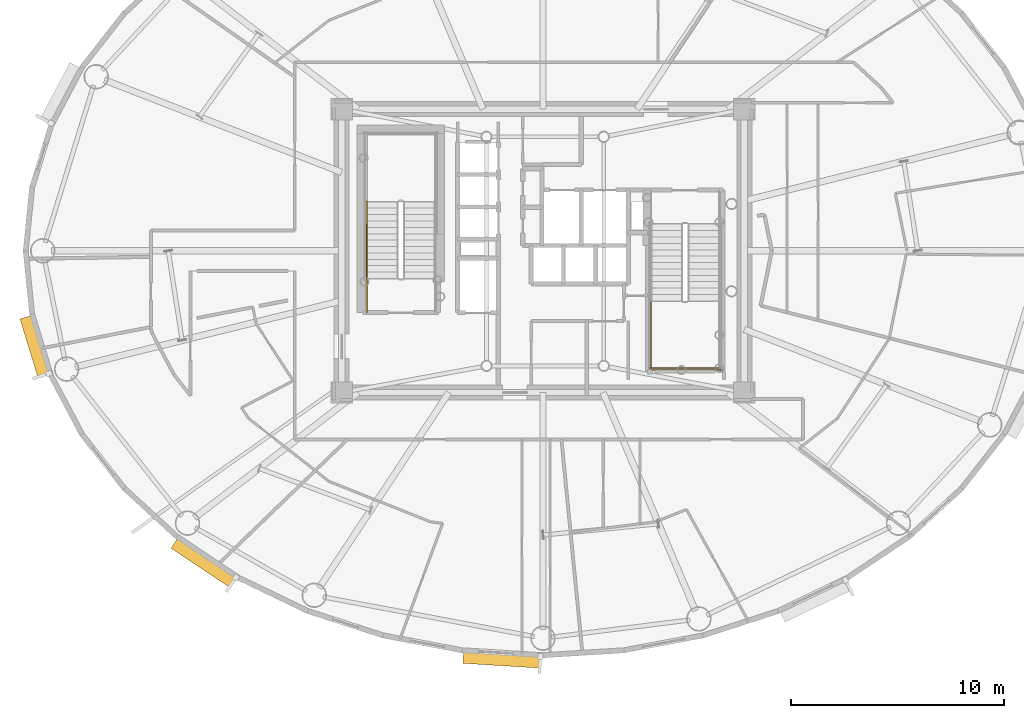
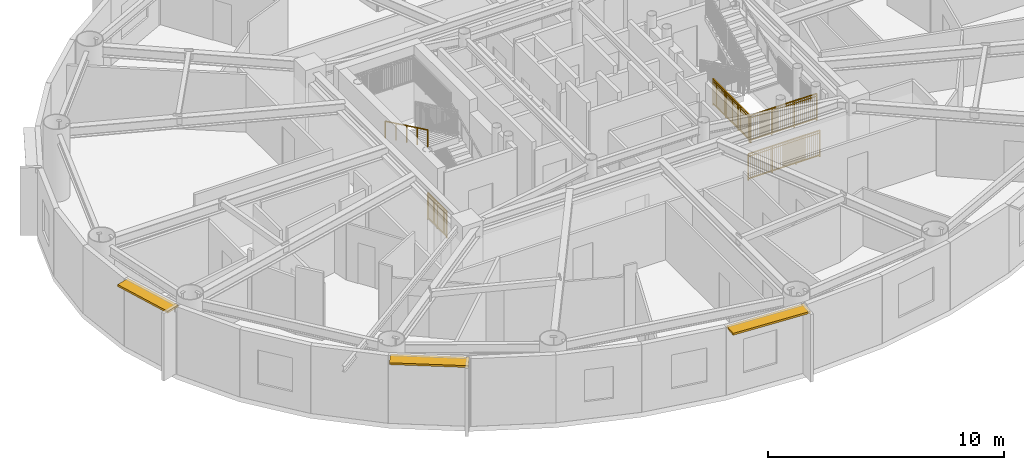
# One storey, part 15 of 21: 5 railings, 3 shading devices.
"""IFC4 building model written with IfcOpenShell, lengths in metres."""

from ifc_helpers import new_model, si_unit, direction, frame, origin, origin_2d, place, context, subcontext, project, spatial, rectangle, extrude, source, transform, mapped, material, layer, layer_set, type_object, element, save


model = new_model("IFC4")

# Units and contexts
model_context = context("Model", 3, precision=1e-05, world=origin(), true_north=direction((0.0, 1.0)))
body_context = subcontext(model_context, "Body", "Model", "MODEL_VIEW")
ifc_project = project(units=[si_unit("LENGTHUNIT", "METRE"), si_unit("AREAUNIT", "SQUARE_METRE"), si_unit("VOLUMEUNIT", "CUBIC_METRE"), si_unit("PLANEANGLEUNIT", "RADIAN"), si_unit("MASSUNIT", "GRAM", prefix="KILO")], contexts=[model_context])

# Site, building, storey
site_placement = place(None, origin())
site = spatial("IfcSite", under=ifc_project, at=site_placement, CompositionType="ELEMENT")
building_placement = place(site_placement, origin())
building = spatial("IfcBuilding", under=site, at=building_placement, Name="Linh Dai School and Residence Tower", CompositionType="ELEMENT")
storey_placement = place(building_placement, frame((0.0, 0.0, 251.550048828125)))
storey = spatial("IfcBuildingStorey", under=building, at=storey_placement, Name="L62", CompositionType="ELEMENT", Elevation=251.550048828125)

# Shading devices
ifc_material_1 = material(Name="Terracotta Ceramic Sunshade", Category="masonry")
ifc_layer = layer(ifc_material_1, 0.10009765625)
ifc_layer_set = layer_set([ifc_layer], Name="Terracotta Ceramic Sunshade")
shading_device_type = type_object("IfcShadingDeviceType", Name="SHD-TC-650", PredefinedType="USERDEFINED", material=ifc_layer_set)
shared_shape_1 = source(origin(), body_context, "Body", "SweptSolid", [
    extrude(rectangle(XDim=2.90380859375, YDim=0.64990234375, at=origin_2d()), origin(), (0.0, 0.0, 1.0), 0.10009765625),
])
shading_device_1_placement = place(storey_placement, frame((12.19384765625, 22.506591796875, 3.3798828125), z_axis=(0.0, 0.0, 1.0), x_axis=(-0.2931574026, 0.956064190994, 0.0)))
element("IfcShadingDevice", 1, at=shading_device_1_placement, inside=storey, type_object=shading_device_type, Name="L62 Terracotta Horizontal Sunshade Band 22", ObjectType="SUNSHADE", PredefinedType="USERDEFINED", context=body_context, shape_type="MappedRepresentation", body=[
    mapped(shared_shape_1, transform((0.0, 0.0, 0.0), x_axis=(1.0, 0.0, 0.0), y_axis=(0.0, 1.0, 0.0), z_axis=(0.0, 0.0, 1.0), scale=1.0)),
])
shared_shape_2 = source(origin(), body_context, "Body", "SweptSolid", [
    extrude(rectangle(XDim=3.3447265625, YDim=0.64990234375, at=origin_2d()), origin(), (0.0, 0.0, 1.0), 0.10009765625),
])
shading_device_2_placement = place(storey_placement, frame((20.11328125, 12.3837890625, 3.3798828125), z_axis=(0.0, 0.0, 1.0), x_axis=(-0.831257719597, 0.555887222025, 0.0)))
element("IfcShadingDevice", 2, at=shading_device_2_placement, inside=storey, type_object=shading_device_type, Name="L62 Terracotta Horizontal Sunshade Band 26", ObjectType="SUNSHADE", PredefinedType="USERDEFINED", context=body_context, shape_type="MappedRepresentation", body=[
    mapped(shared_shape_2, transform((0.0, 0.0, 0.0), x_axis=(1.0, 0.0, 0.0), y_axis=(0.0, 1.0, 0.0), z_axis=(0.0, 0.0, 1.0), scale=1.0)),
])
shared_shape_3 = source(origin(), body_context, "Body", "SweptSolid", [
    extrude(rectangle(XDim=3.656494140625, YDim=0.64990234375, at=origin_2d()), origin(), (0.0, 0.0, 1.0), 0.10009765625),
])
shading_device_3_placement = place(storey_placement, frame((34.08154296875, 7.852783203125, 3.3798828125), z_axis=(0.0, 0.0, 1.0), x_axis=(-0.998106809974, 0.061504437922, 0.0)))
element("IfcShadingDevice", 3, at=shading_device_3_placement, inside=storey, type_object=shading_device_type, Name="L62 Terracotta Horizontal Sunshade Band 30", ObjectType="SUNSHADE", PredefinedType="USERDEFINED", context=body_context, shape_type="MappedRepresentation", body=[
    mapped(shared_shape_3, transform((0.0, 0.0, 0.0), x_axis=(1.0, 0.0, 0.0), y_axis=(0.0, 1.0, 0.0), z_axis=(0.0, 0.0, 1.0), scale=1.0)),
])

# Railings
ifc_material_2 = material(Name="Structural Steel S355JR", Category="steel")
railing_type_1 = type_object("IfcRailingType", Name="RL-ST-GUARD-1400", PredefinedType="GUARDRAIL", material=ifc_material_2)
shared_shape_4 = source(origin(), body_context, "Body", "SweptSolid", [
    extrude(rectangle(XDim=0.048095703125, YDim=0.048095703125, at=origin_2d()), frame((0.0, 0.0, 1.3759765625), z_axis=(0.0, 1.0, 0.0), x_axis=(-1.0, 0.0, 0.0)), (0.0, 0.0, 1.0), 1.599853515625),
    extrude(rectangle(XDim=0.048095703125, YDim=0.048095703125, at=origin_2d()), frame((0.0, 0.0, 0.10009765625), z_axis=(0.0, 1.0, 0.0), x_axis=(-1.0, 0.0, 0.0)), (0.0, 0.0, 1.0), 1.599853515625),
    extrude(rectangle(XDim=0.030029296875, YDim=0.030029296875, at=origin_2d()), frame((0.0, 0.0, 1.239990234375), z_axis=(0.0, 1.0, 0.0), x_axis=(-1.0, 0.0, 0.0)), (0.0, 0.0, 1.0), 1.599853515625),
    extrude(rectangle(XDim=0.02001953125, YDim=0.02001953125, at=origin_2d()), frame((0.0, 0.093994140625, 0.10009765625)), (0.0, 0.0, 1.0), 1.251708984375),
    extrude(rectangle(XDim=0.02001953125, YDim=0.02001953125, at=origin_2d()), frame((0.0, 0.188232421875, 0.10009765625)), (0.0, 0.0, 1.0), 1.251708984375),
    extrude(rectangle(XDim=0.02001953125, YDim=0.02001953125, at=origin_2d()), frame((0.0, 0.2822265625, 0.10009765625)), (0.0, 0.0, 1.0), 1.251708984375),
    extrude(rectangle(XDim=0.02001953125, YDim=0.02001953125, at=origin_2d()), frame((0.0, 0.37646484375, 0.10009765625)), (0.0, 0.0, 1.0), 1.251708984375),
    extrude(rectangle(XDim=0.02001953125, YDim=0.02001953125, at=origin_2d()), frame((0.0, 0.470458984375, 0.10009765625)), (0.0, 0.0, 1.0), 1.251708984375),
    extrude(rectangle(XDim=0.02001953125, YDim=0.02001953125, at=origin_2d()), frame((0.0, 0.564697265625, 0.10009765625)), (0.0, 0.0, 1.0), 1.251708984375),
    extrude(rectangle(XDim=0.02001953125, YDim=0.02001953125, at=origin_2d()), frame((0.0, 0.65869140625, 0.10009765625)), (0.0, 0.0, 1.0), 1.251708984375),
    extrude(rectangle(XDim=0.02001953125, YDim=0.02001953125, at=origin_2d()), frame((0.0, 0.7529296875, 0.10009765625)), (0.0, 0.0, 1.0), 1.251708984375),
    extrude(rectangle(XDim=0.02001953125, YDim=0.02001953125, at=origin_2d()), frame((0.0, 0.846923828125, 0.10009765625)), (0.0, 0.0, 1.0), 1.251708984375),
    extrude(rectangle(XDim=0.02001953125, YDim=0.02001953125, at=origin_2d()), frame((0.0, 0.941162109375, 0.10009765625)), (0.0, 0.0, 1.0), 1.251708984375),
    extrude(rectangle(XDim=0.02001953125, YDim=0.02001953125, at=origin_2d()), frame((0.0, 1.03515625, 0.10009765625)), (0.0, 0.0, 1.0), 1.251708984375),
    extrude(rectangle(XDim=0.02001953125, YDim=0.02001953125, at=origin_2d()), frame((0.0, 1.12939453125, 0.10009765625)), (0.0, 0.0, 1.0), 1.251708984375),
    extrude(rectangle(XDim=0.02001953125, YDim=0.02001953125, at=origin_2d()), frame((0.0, 1.223388671875, 0.10009765625)), (0.0, 0.0, 1.0), 1.251708984375),
    extrude(rectangle(XDim=0.02001953125, YDim=0.02001953125, at=origin_2d()), frame((0.0, 1.317626953125, 0.10009765625)), (0.0, 0.0, 1.0), 1.251708984375),
    extrude(rectangle(XDim=0.02001953125, YDim=0.02001953125, at=origin_2d()), frame((0.0, 1.41162109375, 0.10009765625)), (0.0, 0.0, 1.0), 1.251708984375),
    extrude(rectangle(XDim=0.02001953125, YDim=0.02001953125, at=origin_2d()), frame((0.0, 1.505859375, 0.10009765625)), (0.0, 0.0, 1.0), 1.251708984375),
    extrude(rectangle(XDim=0.0419921875, YDim=0.0419921875, at=origin_2d()), origin(), (0.0, 0.0, 1.0), 1.3759765625),
    extrude(rectangle(XDim=0.0419921875, YDim=0.0419921875, at=origin_2d()), frame((0.0, 0.7998046875, 0.0)), (0.0, 0.0, 1.0), 1.3759765625),
    extrude(rectangle(XDim=0.0419921875, YDim=0.0419921875, at=origin_2d()), frame((0.0, 1.599853515625, 0.0)), (0.0, 0.0, 1.0), 1.3759765625),
])
railing_1_placement = place(storey_placement, frame((27.72998046875, 24.10009765625, 0.0)))
element("IfcRailing", 4, at=railing_1_placement, inside=storey, type_object=railing_type_1, Name="L62 ST1 stair guard 9", PredefinedType="GUARDRAIL", context=body_context, shape_type="MappedRepresentation", body=[
    mapped(shared_shape_4, transform((0.0, 0.0, 0.0), x_axis=(1.0, 0.0, 0.0), y_axis=(0.0, 1.0, 0.0), z_axis=(0.0, 0.0, 1.0), scale=1.0)),
])
ifc_material_3 = material(Name="Brushed Stainless Steel Handrail", Category="steel")
railing_type_2 = type_object("IfcRailingType", Name="RL-ST-HANDRAIL-900", PredefinedType="HANDRAIL", material=ifc_material_3)
shared_shape_5 = source(origin(), body_context, "Body", "SweptSolid", [
    extrude(rectangle(XDim=0.048095703125, YDim=0.048095703125, at=origin_2d()), frame((0.0, 0.0, 0.8759765625), z_axis=(0.0, -0.901262522062, 0.433273431364), x_axis=(1.0, 0.0, 0.0)), (0.0, 0.0, 1.0), 3.994384765625),
    extrude(rectangle(XDim=0.0419921875, YDim=0.0419921875, at=origin_2d()), origin(), (0.0, 0.0, 1.0), 0.8759765625),
    extrude(rectangle(XDim=0.0419921875, YDim=0.0419921875, at=origin_2d()), frame((0.0, -0.89990234375, 0.4326171875)), (0.0, 0.0, 1.0), 0.8759765625),
    extrude(rectangle(XDim=0.0419921875, YDim=0.0419921875, at=origin_2d()), frame((0.0, -1.800048828125, 0.865234375)), (0.0, 0.0, 1.0), 0.8759765625),
    extrude(rectangle(XDim=0.0419921875, YDim=0.0419921875, at=origin_2d()), frame((0.0, -2.7001953125, 1.298095703125)), (0.0, 0.0, 1.0), 0.8759765625),
    extrude(rectangle(XDim=0.0419921875, YDim=0.0419921875, at=origin_2d()), frame((0.0, -3.60009765625, 1.730712890625)), (0.0, 0.0, 1.0), 0.8759765625),
])
railing_2_placement = place(storey_placement, frame((27.72998046875, 29.300048828125, 2.019287109375)))
element("IfcRailing", 5, at=railing_2_placement, inside=storey, type_object=railing_type_2, Name="L62 ST1 stair handrail 2", PredefinedType="HANDRAIL", context=body_context, shape_type="MappedRepresentation", body=[
    mapped(shared_shape_5, transform((0.0, 0.0, 0.0), x_axis=(1.0, 0.0, 0.0), y_axis=(0.0, 1.0, 0.0), z_axis=(0.0, 0.0, 1.0), scale=1.0)),
])
shared_shape_6 = source(origin(), body_context, "Body", "SweptSolid", [
    extrude(rectangle(XDim=0.048095703125, YDim=0.048095703125, at=origin_2d()), frame((0.0, 0.0, 1.3759765625), z_axis=(1.0, 0.0, 0.0), x_axis=(0.0, 1.0, 0.0)), (0.0, 0.0, 1.0), 3.300048828125),
    extrude(rectangle(XDim=0.048095703125, YDim=0.048095703125, at=origin_2d()), frame((0.0, 0.0, 0.10009765625), z_axis=(1.0, 0.0, 0.0), x_axis=(0.0, 1.0, 0.0)), (0.0, 0.0, 1.0), 3.300048828125),
    extrude(rectangle(XDim=0.030029296875, YDim=0.030029296875, at=origin_2d()), frame((0.0, 0.0, 1.239990234375), z_axis=(1.0, 0.0, 0.0), x_axis=(0.0, 1.0, 0.0)), (0.0, 0.0, 1.0), 3.300048828125),
    extrude(rectangle(XDim=0.02001953125, YDim=0.02001953125, at=origin_2d()), frame((0.09716796875, 0.0, 0.10009765625)), (0.0, 0.0, 1.0), 1.251708984375),
    extrude(rectangle(XDim=0.02001953125, YDim=0.02001953125, at=origin_2d()), frame((0.194091796875, 0.0, 0.10009765625)), (0.0, 0.0, 1.0), 1.251708984375),
    extrude(rectangle(XDim=0.02001953125, YDim=0.02001953125, at=origin_2d()), frame((0.291259765625, 0.0, 0.10009765625)), (0.0, 0.0, 1.0), 1.251708984375),
    extrude(rectangle(XDim=0.02001953125, YDim=0.02001953125, at=origin_2d()), frame((0.38818359375, 0.0, 0.10009765625)), (0.0, 0.0, 1.0), 1.251708984375),
    extrude(rectangle(XDim=0.02001953125, YDim=0.02001953125, at=origin_2d()), frame((0.4853515625, 0.0, 0.10009765625)), (0.0, 0.0, 1.0), 1.251708984375),
    extrude(rectangle(XDim=0.02001953125, YDim=0.02001953125, at=origin_2d()), frame((0.582275390625, 0.0, 0.10009765625)), (0.0, 0.0, 1.0), 1.251708984375),
    extrude(rectangle(XDim=0.02001953125, YDim=0.02001953125, at=origin_2d()), frame((0.679443359375, 0.0, 0.10009765625)), (0.0, 0.0, 1.0), 1.251708984375),
    extrude(rectangle(XDim=0.02001953125, YDim=0.02001953125, at=origin_2d()), frame((0.7763671875, 0.0, 0.10009765625)), (0.0, 0.0, 1.0), 1.251708984375),
    extrude(rectangle(XDim=0.02001953125, YDim=0.02001953125, at=origin_2d()), frame((0.87353515625, 0.0, 0.10009765625)), (0.0, 0.0, 1.0), 1.251708984375),
    extrude(rectangle(XDim=0.02001953125, YDim=0.02001953125, at=origin_2d()), frame((0.970703125, 0.0, 0.10009765625)), (0.0, 0.0, 1.0), 1.251708984375),
    extrude(rectangle(XDim=0.02001953125, YDim=0.02001953125, at=origin_2d()), frame((1.164794921875, 0.0, 0.10009765625)), (0.0, 0.0, 1.0), 1.251708984375),
    extrude(rectangle(XDim=0.02001953125, YDim=0.02001953125, at=origin_2d()), frame((1.26171875, 0.0, 0.10009765625)), (0.0, 0.0, 1.0), 1.251708984375),
    extrude(rectangle(XDim=0.02001953125, YDim=0.02001953125, at=origin_2d()), frame((1.35888671875, 0.0, 0.10009765625)), (0.0, 0.0, 1.0), 1.251708984375),
    extrude(rectangle(XDim=0.02001953125, YDim=0.02001953125, at=origin_2d()), frame((1.455810546875, 0.0, 0.10009765625)), (0.0, 0.0, 1.0), 1.251708984375),
    extrude(rectangle(XDim=0.02001953125, YDim=0.02001953125, at=origin_2d()), frame((1.552978515625, 0.0, 0.10009765625)), (0.0, 0.0, 1.0), 1.251708984375),
    extrude(rectangle(XDim=0.02001953125, YDim=0.02001953125, at=origin_2d()), frame((1.64990234375, 0.0, 0.10009765625)), (0.0, 0.0, 1.0), 1.251708984375),
    extrude(rectangle(XDim=0.02001953125, YDim=0.02001953125, at=origin_2d()), frame((1.7470703125, 0.0, 0.10009765625)), (0.0, 0.0, 1.0), 1.251708984375),
    extrude(rectangle(XDim=0.02001953125, YDim=0.02001953125, at=origin_2d()), frame((1.84423828125, 0.0, 0.10009765625)), (0.0, 0.0, 1.0), 1.251708984375),
    extrude(rectangle(XDim=0.02001953125, YDim=0.02001953125, at=origin_2d()), frame((1.941162109375, 0.0, 0.10009765625)), (0.0, 0.0, 1.0), 1.251708984375),
    extrude(rectangle(XDim=0.02001953125, YDim=0.02001953125, at=origin_2d()), frame((2.038330078125, 0.0, 0.10009765625)), (0.0, 0.0, 1.0), 1.251708984375),
    extrude(rectangle(XDim=0.02001953125, YDim=0.02001953125, at=origin_2d()), frame((2.13525390625, 0.0, 0.10009765625)), (0.0, 0.0, 1.0), 1.251708984375),
    extrude(rectangle(XDim=0.02001953125, YDim=0.02001953125, at=origin_2d()), frame((2.329345703125, 0.0, 0.10009765625)), (0.0, 0.0, 1.0), 1.251708984375),
    extrude(rectangle(XDim=0.02001953125, YDim=0.02001953125, at=origin_2d()), frame((2.426513671875, 0.0, 0.10009765625)), (0.0, 0.0, 1.0), 1.251708984375),
    extrude(rectangle(XDim=0.02001953125, YDim=0.02001953125, at=origin_2d()), frame((2.523681640625, 0.0, 0.10009765625)), (0.0, 0.0, 1.0), 1.251708984375),
    extrude(rectangle(XDim=0.02001953125, YDim=0.02001953125, at=origin_2d()), frame((2.62060546875, 0.0, 0.10009765625)), (0.0, 0.0, 1.0), 1.251708984375),
    extrude(rectangle(XDim=0.02001953125, YDim=0.02001953125, at=origin_2d()), frame((2.7177734375, 0.0, 0.10009765625)), (0.0, 0.0, 1.0), 1.251708984375),
    extrude(rectangle(XDim=0.02001953125, YDim=0.02001953125, at=origin_2d()), frame((2.814697265625, 0.0, 0.10009765625)), (0.0, 0.0, 1.0), 1.251708984375),
    extrude(rectangle(XDim=0.02001953125, YDim=0.02001953125, at=origin_2d()), frame((2.911865234375, 0.0, 0.10009765625)), (0.0, 0.0, 1.0), 1.251708984375),
    extrude(rectangle(XDim=0.02001953125, YDim=0.02001953125, at=origin_2d()), frame((3.0087890625, 0.0, 0.10009765625)), (0.0, 0.0, 1.0), 1.251708984375),
    extrude(rectangle(XDim=0.02001953125, YDim=0.02001953125, at=origin_2d()), frame((3.10595703125, 0.0, 0.10009765625)), (0.0, 0.0, 1.0), 1.251708984375),
    extrude(rectangle(XDim=0.02001953125, YDim=0.02001953125, at=origin_2d()), frame((3.202880859375, 0.0, 0.10009765625)), (0.0, 0.0, 1.0), 1.251708984375),
    extrude(rectangle(XDim=0.0419921875, YDim=0.0419921875, at=origin_2d()), origin(), (0.0, 0.0, 1.0), 1.3759765625),
    extrude(rectangle(XDim=0.0419921875, YDim=0.0419921875, at=origin_2d()), frame((1.10009765625, 0.0, 0.0)), (0.0, 0.0, 1.0), 1.3759765625),
    extrude(rectangle(XDim=0.0419921875, YDim=0.0419921875, at=origin_2d()), frame((2.199951171875, 0.0, 0.0)), (0.0, 0.0, 1.0), 1.3759765625),
    extrude(rectangle(XDim=0.0419921875, YDim=0.0419921875, at=origin_2d()), frame((3.300048828125, 0.0, 0.0)), (0.0, 0.0, 1.0), 1.3759765625),
])
railing_3_placement = place(storey_placement, frame((41.02001953125, 21.5, 1.875)))
element("IfcRailing", 6, at=railing_3_placement, inside=storey, type_object=railing_type_1, Name="L62 ST2 stair guard 5", PredefinedType="GUARDRAIL", context=body_context, shape_type="MappedRepresentation", body=[
    mapped(shared_shape_6, transform((0.0, 0.0, 0.0), x_axis=(1.0, 0.0, 0.0), y_axis=(0.0, 1.0, 0.0), z_axis=(0.0, 0.0, 1.0), scale=1.0)),
])
shared_shape_7 = source(origin(), body_context, "Body", "SweptSolid", [
    extrude(rectangle(XDim=0.048095703125, YDim=0.048095703125, at=origin_2d()), frame((0.0, 0.0, 1.3759765625), z_axis=(1.0, 0.0, 0.0), x_axis=(0.0, 1.0, 0.0)), (0.0, 0.0, 1.0), 3.5),
    extrude(rectangle(XDim=0.048095703125, YDim=0.048095703125, at=origin_2d()), frame((0.0, 0.0, 0.10009765625), z_axis=(1.0, 0.0, 0.0), x_axis=(0.0, 1.0, 0.0)), (0.0, 0.0, 1.0), 3.5),
    extrude(rectangle(XDim=0.030029296875, YDim=0.030029296875, at=origin_2d()), frame((0.0, 0.0, 1.239990234375), z_axis=(1.0, 0.0, 0.0), x_axis=(0.0, 1.0, 0.0)), (0.0, 0.0, 1.0), 3.5),
    extrude(rectangle(XDim=0.02001953125, YDim=0.02001953125, at=origin_2d()), frame((0.09716796875, 0.0, 0.10009765625)), (0.0, 0.0, 1.0), 1.251708984375),
    extrude(rectangle(XDim=0.02001953125, YDim=0.02001953125, at=origin_2d()), frame((0.1943359375, 0.0, 0.10009765625)), (0.0, 0.0, 1.0), 1.251708984375),
    extrude(rectangle(XDim=0.02001953125, YDim=0.02001953125, at=origin_2d()), frame((0.291748046875, 0.0, 0.10009765625)), (0.0, 0.0, 1.0), 1.251708984375),
    extrude(rectangle(XDim=0.02001953125, YDim=0.02001953125, at=origin_2d()), frame((0.388916015625, 0.0, 0.10009765625)), (0.0, 0.0, 1.0), 1.251708984375),
    extrude(rectangle(XDim=0.02001953125, YDim=0.02001953125, at=origin_2d()), frame((0.486083984375, 0.0, 0.10009765625)), (0.0, 0.0, 1.0), 1.251708984375),
    extrude(rectangle(XDim=0.02001953125, YDim=0.02001953125, at=origin_2d()), frame((0.583251953125, 0.0, 0.10009765625)), (0.0, 0.0, 1.0), 1.251708984375),
    extrude(rectangle(XDim=0.02001953125, YDim=0.02001953125, at=origin_2d()), frame((0.6806640625, 0.0, 0.10009765625)), (0.0, 0.0, 1.0), 1.251708984375),
    extrude(rectangle(XDim=0.02001953125, YDim=0.02001953125, at=origin_2d()), frame((0.77783203125, 0.0, 0.10009765625)), (0.0, 0.0, 1.0), 1.251708984375),
    extrude(rectangle(XDim=0.02001953125, YDim=0.02001953125, at=origin_2d()), frame((0.875, 0.0, 0.10009765625)), (0.0, 0.0, 1.0), 1.251708984375),
    extrude(rectangle(XDim=0.02001953125, YDim=0.02001953125, at=origin_2d()), frame((0.97216796875, 0.0, 0.10009765625)), (0.0, 0.0, 1.0), 1.251708984375),
    extrude(rectangle(XDim=0.02001953125, YDim=0.02001953125, at=origin_2d()), frame((1.0693359375, 0.0, 0.10009765625)), (0.0, 0.0, 1.0), 1.251708984375),
    extrude(rectangle(XDim=0.02001953125, YDim=0.02001953125, at=origin_2d()), frame((1.263916015625, 0.0, 0.10009765625)), (0.0, 0.0, 1.0), 1.251708984375),
    extrude(rectangle(XDim=0.02001953125, YDim=0.02001953125, at=origin_2d()), frame((1.361083984375, 0.0, 0.10009765625)), (0.0, 0.0, 1.0), 1.251708984375),
    extrude(rectangle(XDim=0.02001953125, YDim=0.02001953125, at=origin_2d()), frame((1.458251953125, 0.0, 0.10009765625)), (0.0, 0.0, 1.0), 1.251708984375),
    extrude(rectangle(XDim=0.02001953125, YDim=0.02001953125, at=origin_2d()), frame((1.5556640625, 0.0, 0.10009765625)), (0.0, 0.0, 1.0), 1.251708984375),
    extrude(rectangle(XDim=0.02001953125, YDim=0.02001953125, at=origin_2d()), frame((1.65283203125, 0.0, 0.10009765625)), (0.0, 0.0, 1.0), 1.251708984375),
    extrude(rectangle(XDim=0.02001953125, YDim=0.02001953125, at=origin_2d()), frame((1.75, 0.0, 0.10009765625)), (0.0, 0.0, 1.0), 1.251708984375),
    extrude(rectangle(XDim=0.02001953125, YDim=0.02001953125, at=origin_2d()), frame((1.84716796875, 0.0, 0.10009765625)), (0.0, 0.0, 1.0), 1.251708984375),
    extrude(rectangle(XDim=0.02001953125, YDim=0.02001953125, at=origin_2d()), frame((1.9443359375, 0.0, 0.10009765625)), (0.0, 0.0, 1.0), 1.251708984375),
    extrude(rectangle(XDim=0.02001953125, YDim=0.02001953125, at=origin_2d()), frame((2.041748046875, 0.0, 0.10009765625)), (0.0, 0.0, 1.0), 1.251708984375),
    extrude(rectangle(XDim=0.02001953125, YDim=0.02001953125, at=origin_2d()), frame((2.138916015625, 0.0, 0.10009765625)), (0.0, 0.0, 1.0), 1.251708984375),
    extrude(rectangle(XDim=0.02001953125, YDim=0.02001953125, at=origin_2d()), frame((2.236083984375, 0.0, 0.10009765625)), (0.0, 0.0, 1.0), 1.251708984375),
    extrude(rectangle(XDim=0.02001953125, YDim=0.02001953125, at=origin_2d()), frame((2.4306640625, 0.0, 0.10009765625)), (0.0, 0.0, 1.0), 1.251708984375),
    extrude(rectangle(XDim=0.02001953125, YDim=0.02001953125, at=origin_2d()), frame((2.52783203125, 0.0, 0.10009765625)), (0.0, 0.0, 1.0), 1.251708984375),
    extrude(rectangle(XDim=0.02001953125, YDim=0.02001953125, at=origin_2d()), frame((2.625, 0.0, 0.10009765625)), (0.0, 0.0, 1.0), 1.251708984375),
    extrude(rectangle(XDim=0.02001953125, YDim=0.02001953125, at=origin_2d()), frame((2.72216796875, 0.0, 0.10009765625)), (0.0, 0.0, 1.0), 1.251708984375),
    extrude(rectangle(XDim=0.02001953125, YDim=0.02001953125, at=origin_2d()), frame((2.8193359375, 0.0, 0.10009765625)), (0.0, 0.0, 1.0), 1.251708984375),
    extrude(rectangle(XDim=0.02001953125, YDim=0.02001953125, at=origin_2d()), frame((2.916748046875, 0.0, 0.10009765625)), (0.0, 0.0, 1.0), 1.251708984375),
    extrude(rectangle(XDim=0.02001953125, YDim=0.02001953125, at=origin_2d()), frame((3.013916015625, 0.0, 0.10009765625)), (0.0, 0.0, 1.0), 1.251708984375),
    extrude(rectangle(XDim=0.02001953125, YDim=0.02001953125, at=origin_2d()), frame((3.111083984375, 0.0, 0.10009765625)), (0.0, 0.0, 1.0), 1.251708984375),
    extrude(rectangle(XDim=0.02001953125, YDim=0.02001953125, at=origin_2d()), frame((3.208251953125, 0.0, 0.10009765625)), (0.0, 0.0, 1.0), 1.251708984375),
    extrude(rectangle(XDim=0.02001953125, YDim=0.02001953125, at=origin_2d()), frame((3.3056640625, 0.0, 0.10009765625)), (0.0, 0.0, 1.0), 1.251708984375),
    extrude(rectangle(XDim=0.02001953125, YDim=0.02001953125, at=origin_2d()), frame((3.40283203125, 0.0, 0.10009765625)), (0.0, 0.0, 1.0), 1.251708984375),
    extrude(rectangle(XDim=0.0419921875, YDim=0.0419921875, at=origin_2d()), origin(), (0.0, 0.0, 1.0), 1.3759765625),
    extrude(rectangle(XDim=0.0419921875, YDim=0.0419921875, at=origin_2d()), frame((1.166748046875, 0.0, 0.0)), (0.0, 0.0, 1.0), 1.3759765625),
    extrude(rectangle(XDim=0.0419921875, YDim=0.0419921875, at=origin_2d()), frame((2.333251953125, 0.0, 0.0)), (0.0, 0.0, 1.0), 1.3759765625),
    extrude(rectangle(XDim=0.0419921875, YDim=0.0419921875, at=origin_2d()), frame((3.5, 0.0, 0.0)), (0.0, 0.0, 1.0), 1.3759765625),
])
railing_4_placement = place(storey_placement, frame((40.919921875, 21.39990234375, 0.0)))
element("IfcRailing", 7, at=railing_4_placement, inside=storey, type_object=railing_type_1, Name="L62 ST2 stair guard 12", PredefinedType="GUARDRAIL", context=body_context, shape_type="MappedRepresentation", body=[
    mapped(shared_shape_7, transform((0.0, 0.0, 0.0), x_axis=(1.0, 0.0, 0.0), y_axis=(0.0, 1.0, 0.0), z_axis=(0.0, 0.0, 1.0), scale=1.0)),
])
shared_shape_8 = source(origin(), body_context, "Body", "SweptSolid", [
    extrude(rectangle(XDim=0.048095703125, YDim=0.048095703125, at=origin_2d()), frame((0.0, 0.0, 1.3759765625), z_axis=(0.0, -1.0, 0.0), x_axis=(1.0, 0.0, 0.0)), (0.0, 0.0, 1.0), 3.199951171875),
    extrude(rectangle(XDim=0.048095703125, YDim=0.048095703125, at=origin_2d()), frame((0.0, 0.0, 0.10009765625), z_axis=(0.0, -1.0, 0.0), x_axis=(1.0, 0.0, 0.0)), (0.0, 0.0, 1.0), 3.199951171875),
    extrude(rectangle(XDim=0.030029296875, YDim=0.030029296875, at=origin_2d()), frame((0.0, 0.0, 1.239990234375), z_axis=(0.0, -1.0, 0.0), x_axis=(1.0, 0.0, 0.0)), (0.0, 0.0, 1.0), 3.199951171875),
    extrude(rectangle(XDim=0.02001953125, YDim=0.02001953125, at=origin_2d()), frame((0.0, -0.096923828125, 0.10009765625)), (0.0, 0.0, 1.0), 1.251708984375),
    extrude(rectangle(XDim=0.02001953125, YDim=0.02001953125, at=origin_2d()), frame((0.0, -0.19384765625, 0.10009765625)), (0.0, 0.0, 1.0), 1.251708984375),
    extrude(rectangle(XDim=0.02001953125, YDim=0.02001953125, at=origin_2d()), frame((0.0, -0.291015625, 0.10009765625)), (0.0, 0.0, 1.0), 1.251708984375),
    extrude(rectangle(XDim=0.02001953125, YDim=0.02001953125, at=origin_2d()), frame((0.0, -0.387939453125, 0.10009765625)), (0.0, 0.0, 1.0), 1.251708984375),
    extrude(rectangle(XDim=0.02001953125, YDim=0.02001953125, at=origin_2d()), frame((0.0, -0.48486328125, 0.10009765625)), (0.0, 0.0, 1.0), 1.251708984375),
    extrude(rectangle(XDim=0.02001953125, YDim=0.02001953125, at=origin_2d()), frame((0.0, -0.581787109375, 0.10009765625)), (0.0, 0.0, 1.0), 1.251708984375),
    extrude(rectangle(XDim=0.02001953125, YDim=0.02001953125, at=origin_2d()), frame((0.0, -0.6787109375, 0.10009765625)), (0.0, 0.0, 1.0), 1.251708984375),
    extrude(rectangle(XDim=0.02001953125, YDim=0.02001953125, at=origin_2d()), frame((0.0, -0.775634765625, 0.10009765625)), (0.0, 0.0, 1.0), 1.251708984375),
    extrude(rectangle(XDim=0.02001953125, YDim=0.02001953125, at=origin_2d()), frame((0.0, -0.872802734375, 0.10009765625)), (0.0, 0.0, 1.0), 1.251708984375),
    extrude(rectangle(XDim=0.02001953125, YDim=0.02001953125, at=origin_2d()), frame((0.0, -0.9697265625, 0.10009765625)), (0.0, 0.0, 1.0), 1.251708984375),
    extrude(rectangle(XDim=0.02001953125, YDim=0.02001953125, at=origin_2d()), frame((0.0, -1.16357421875, 0.10009765625)), (0.0, 0.0, 1.0), 1.251708984375),
    extrude(rectangle(XDim=0.02001953125, YDim=0.02001953125, at=origin_2d()), frame((0.0, -1.260498046875, 0.10009765625)), (0.0, 0.0, 1.0), 1.251708984375),
    extrude(rectangle(XDim=0.02001953125, YDim=0.02001953125, at=origin_2d()), frame((0.0, -1.357666015625, 0.10009765625)), (0.0, 0.0, 1.0), 1.251708984375),
    extrude(rectangle(XDim=0.02001953125, YDim=0.02001953125, at=origin_2d()), frame((0.0, -1.45458984375, 0.10009765625)), (0.0, 0.0, 1.0), 1.251708984375),
    extrude(rectangle(XDim=0.02001953125, YDim=0.02001953125, at=origin_2d()), frame((0.0, -1.551513671875, 0.10009765625)), (0.0, 0.0, 1.0), 1.251708984375),
    extrude(rectangle(XDim=0.02001953125, YDim=0.02001953125, at=origin_2d()), frame((0.0, -1.6484375, 0.10009765625)), (0.0, 0.0, 1.0), 1.251708984375),
    extrude(rectangle(XDim=0.02001953125, YDim=0.02001953125, at=origin_2d()), frame((0.0, -1.745361328125, 0.10009765625)), (0.0, 0.0, 1.0), 1.251708984375),
    extrude(rectangle(XDim=0.02001953125, YDim=0.02001953125, at=origin_2d()), frame((0.0, -1.84228515625, 0.10009765625)), (0.0, 0.0, 1.0), 1.251708984375),
    extrude(rectangle(XDim=0.02001953125, YDim=0.02001953125, at=origin_2d()), frame((0.0, -1.939453125, 0.10009765625)), (0.0, 0.0, 1.0), 1.251708984375),
    extrude(rectangle(XDim=0.02001953125, YDim=0.02001953125, at=origin_2d()), frame((0.0, -2.036376953125, 0.10009765625)), (0.0, 0.0, 1.0), 1.251708984375),
    extrude(rectangle(XDim=0.02001953125, YDim=0.02001953125, at=origin_2d()), frame((0.0, -2.230224609375, 0.10009765625)), (0.0, 0.0, 1.0), 1.251708984375),
    extrude(rectangle(XDim=0.02001953125, YDim=0.02001953125, at=origin_2d()), frame((0.0, -2.3271484375, 0.10009765625)), (0.0, 0.0, 1.0), 1.251708984375),
    extrude(rectangle(XDim=0.02001953125, YDim=0.02001953125, at=origin_2d()), frame((0.0, -2.42431640625, 0.10009765625)), (0.0, 0.0, 1.0), 1.251708984375),
    extrude(rectangle(XDim=0.02001953125, YDim=0.02001953125, at=origin_2d()), frame((0.0, -2.521240234375, 0.10009765625)), (0.0, 0.0, 1.0), 1.251708984375),
    extrude(rectangle(XDim=0.02001953125, YDim=0.02001953125, at=origin_2d()), frame((0.0, -2.6181640625, 0.10009765625)), (0.0, 0.0, 1.0), 1.251708984375),
    extrude(rectangle(XDim=0.02001953125, YDim=0.02001953125, at=origin_2d()), frame((0.0, -2.715087890625, 0.10009765625)), (0.0, 0.0, 1.0), 1.251708984375),
    extrude(rectangle(XDim=0.02001953125, YDim=0.02001953125, at=origin_2d()), frame((0.0, -2.81201171875, 0.10009765625)), (0.0, 0.0, 1.0), 1.251708984375),
    extrude(rectangle(XDim=0.02001953125, YDim=0.02001953125, at=origin_2d()), frame((0.0, -2.908935546875, 0.10009765625)), (0.0, 0.0, 1.0), 1.251708984375),
    extrude(rectangle(XDim=0.02001953125, YDim=0.02001953125, at=origin_2d()), frame((0.0, -3.006103515625, 0.10009765625)), (0.0, 0.0, 1.0), 1.251708984375),
    extrude(rectangle(XDim=0.02001953125, YDim=0.02001953125, at=origin_2d()), frame((0.0, -3.10302734375, 0.10009765625)), (0.0, 0.0, 1.0), 1.251708984375),
    extrude(rectangle(XDim=0.0419921875, YDim=0.0419921875, at=origin_2d()), origin(), (0.0, 0.0, 1.0), 1.3759765625),
    extrude(rectangle(XDim=0.0419921875, YDim=0.0419921875, at=origin_2d()), frame((0.0, -1.066650390625, 0.0)), (0.0, 0.0, 1.0), 1.3759765625),
    extrude(rectangle(XDim=0.0419921875, YDim=0.0419921875, at=origin_2d()), frame((0.0, -2.13330078125, 0.0)), (0.0, 0.0, 1.0), 1.3759765625),
    extrude(rectangle(XDim=0.0419921875, YDim=0.0419921875, at=origin_2d()), frame((0.0, -3.199951171875, 0.0)), (0.0, 0.0, 1.0), 1.3759765625),
])
railing_5_placement = place(storey_placement, frame((41.070068359375, 24.64990234375, 1.875)))
element("IfcRailing", 8, at=railing_5_placement, inside=storey, type_object=railing_type_1, Name="L62 ST2 stair guard 3", PredefinedType="GUARDRAIL", context=body_context, shape_type="MappedRepresentation", body=[
    mapped(shared_shape_8, transform((0.0, 0.0, 0.0), x_axis=(1.0, 0.0, 0.0), y_axis=(0.0, 1.0, 0.0), z_axis=(0.0, 0.0, 1.0), scale=1.0)),
])

save(model, "model.ifc")
